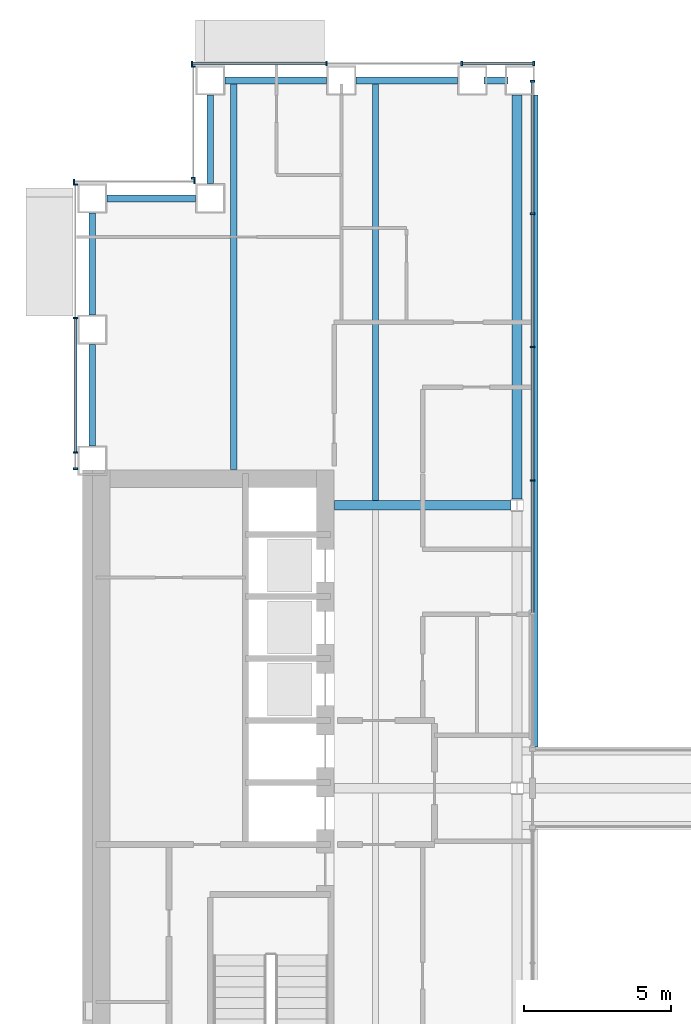
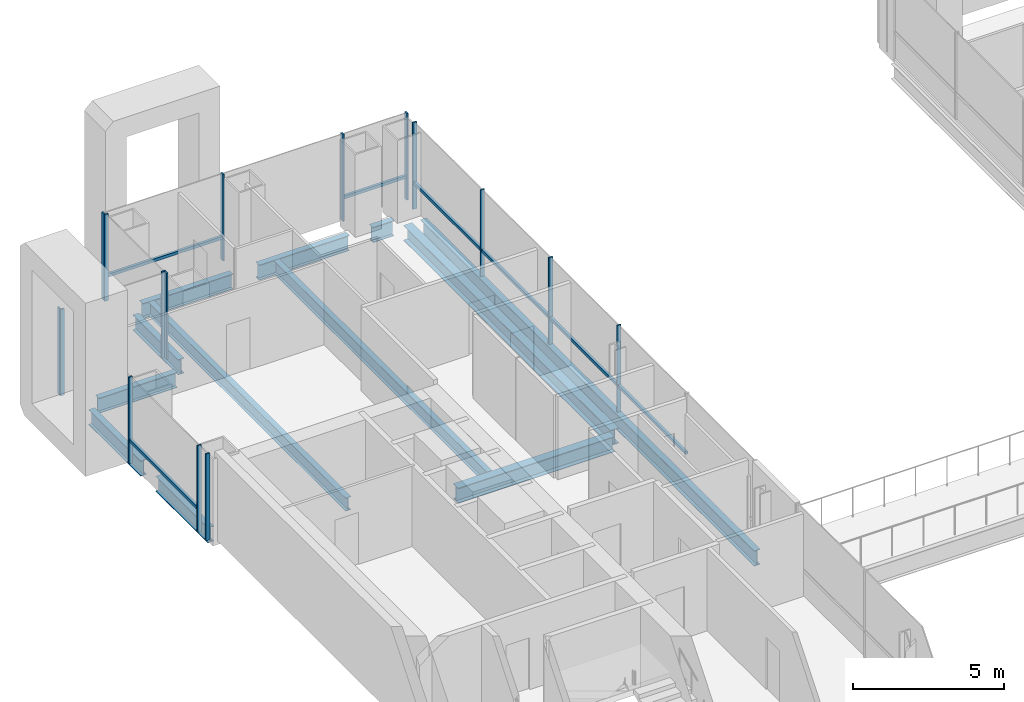
# One storey, part 6 of 21: 23 members, 12 beams, 5 elements without a shape of their own.
"""IFC4 building model written with IfcOpenShell, lengths in metres."""

from ifc_helpers import new_model, si_unit, direction, frame, origin, origin_2d, place, context, subcontext, project, spatial, rectangle, i_section, extrude, material, material_profile, profile_set, type_object, element, aggregate, save


model = new_model("IFC4")

# Units and contexts
model_context = context("Model", 3, precision=1e-05, world=origin(), true_north=direction((0.0, 1.0)))
body_context = subcontext(model_context, "Body", "Model", "MODEL_VIEW")
ifc_project = project(units=[si_unit("LENGTHUNIT", "METRE"), si_unit("AREAUNIT", "SQUARE_METRE"), si_unit("VOLUMEUNIT", "CUBIC_METRE"), si_unit("PLANEANGLEUNIT", "RADIAN"), si_unit("MASSUNIT", "GRAM", prefix="KILO")], contexts=[model_context])

# Site, building, storey
site_placement = place(None, origin())
site = spatial("IfcSite", under=ifc_project, at=site_placement, CompositionType="ELEMENT")
building_placement = place(site_placement, origin())
building = spatial("IfcBuilding", under=site, at=building_placement, Name="Cobrizo Arcos Hotel Tower", CompositionType="ELEMENT")
storey_placement = place(building_placement, frame((0.0, 0.0, 74.0)))
storey = spatial("IfcBuildingStorey", under=building, at=storey_placement, Name="L17", CompositionType="ELEMENT", Elevation=74.0)

# Curtain wall, members
ifc_material_1 = material(Name="Aluminium 6063-T6 anodised bronze", Category="aluminium")
curtain_wall_type_1 = type_object("IfcCurtainWallType", Name="CW-A guest facade", PredefinedType="NOTDEFINED", material=ifc_material_1)
curtain_wall_1_placement = place(storey_placement, origin())
curtain_wall_1 = element("IfcCurtainWall", 1, at=curtain_wall_1_placement, inside=storey, type_object=curtain_wall_type_1, Name="CW-A L17 N face", PredefinedType="NOTDEFINED")
ifc_material_profile_1 = material_profile(ifc_material_1, rectangle(XDim=0.14990234375, YDim=0.06005859375, at=origin_2d()), Name="CW-A mullion 150x60")
ifc_profile_set_1 = profile_set([ifc_material_profile_1], Name="Aluminium 6063-T6 anodised bronze")
member_type_1 = type_object("IfcMemberType", Name="CW-A mullion 150x60", PredefinedType="MULLION", material=ifc_profile_set_1)
member_1_placement = place(storey_placement, frame((-9.030029296875, 24.574951171875, 0.0), z_axis=(0.0, 0.0, 1.0), x_axis=(0.0, 1.0, 0.0)))
member_1 = element("IfcMember", 2, at=member_1_placement, type_object=member_type_1, Name="CW-A mullion 1", PredefinedType="MULLION", context=body_context, shape_type="SweptSolid", body=[
    extrude(rectangle(XDim=0.14990234375, YDim=0.06005859375, at=origin_2d()), origin(), (0.0, 0.0, 1.0), 3.5),
])
member_2_placement = place(storey_placement, frame((-11.47216796875, 24.574951171875, 0.0), z_axis=(0.0, 0.0, 1.0), x_axis=(0.0, 1.0, 0.0)))
member_2 = element("IfcMember", 3, at=member_2_placement, type_object=member_type_1, Name="CW-A mullion 2", PredefinedType="MULLION", context=body_context, shape_type="SweptSolid", body=[
    extrude(rectangle(XDim=0.14990234375, YDim=0.06005859375, at=origin_2d()), origin(), (0.0, 0.0, 1.0), 3.5),
])
member_3_placement = place(storey_placement, frame((-16.06103515625, 24.574951171875, 0.0), z_axis=(0.0, 0.0, 1.0), x_axis=(0.0, 1.0, 0.0)))
member_3 = element("IfcMember", 4, at=member_3_placement, type_object=member_type_1, Name="CW-A mullion 3", PredefinedType="MULLION", context=body_context, shape_type="SweptSolid", body=[
    extrude(rectangle(XDim=0.14990234375, YDim=0.06005859375, at=origin_2d()), origin(), (0.0, 0.0, 1.0), 3.5),
])
member_4_placement = place(storey_placement, frame((-20.6201171875, 24.574951171875, 0.0), z_axis=(0.0, 0.0, 1.0), x_axis=(0.0, 1.0, 0.0)))
member_4 = element("IfcMember", 5, at=member_4_placement, type_object=member_type_1, Name="CW-A mullion 4", PredefinedType="MULLION", context=body_context, shape_type="SweptSolid", body=[
    extrude(rectangle(XDim=0.14990234375, YDim=0.06005859375, at=origin_2d()), origin(), (0.0, 0.0, 1.0), 3.5),
])

curtain_wall_2_placement = place(storey_placement, origin())
curtain_wall_2 = element("IfcCurtainWall", 6, at=curtain_wall_2_placement, inside=storey, type_object=curtain_wall_type_1, Name="CW-A L17 W face", PredefinedType="NOTDEFINED")
member_5_placement = place(storey_placement, frame((-20.574951171875, 24.469970703125, 0.0), z_axis=(0.0, 0.0, 1.0), x_axis=(-1.0, 0.0, 0.0)))
member_5 = element("IfcMember", 7, at=member_5_placement, type_object=member_type_1, Name="CW-A mullion 1", PredefinedType="MULLION", context=body_context, shape_type="SweptSolid", body=[
    extrude(rectangle(XDim=0.14990234375, YDim=0.06005859375, at=origin_2d()), origin(), (0.0, 0.0, 1.0), 3.5),
])
member_6_placement = place(storey_placement, frame((-20.574951171875, 20.679931640625, 0.0), z_axis=(0.0, 0.0, 1.0), x_axis=(-1.0, 0.0, 0.0)))
member_6 = element("IfcMember", 8, at=member_6_placement, type_object=member_type_1, Name="CW-A mullion 2", PredefinedType="MULLION", context=body_context, shape_type="SweptSolid", body=[
    extrude(rectangle(XDim=0.14990234375, YDim=0.06005859375, at=origin_2d()), origin(), (0.0, 0.0, 1.0), 3.5),
])
aggregate(curtain_wall_2, [member_5, member_6])

curtain_wall_3_placement = place(storey_placement, origin())
curtain_wall_3 = element("IfcCurtainWall", 9, at=curtain_wall_3_placement, inside=storey, type_object=curtain_wall_type_1, Name="CW-A L17 N face", PredefinedType="NOTDEFINED")
member_7_placement = place(storey_placement, frame((-20.530029296875, 20.574951171875, 0.0), z_axis=(0.0, 0.0, 1.0), x_axis=(0.0, 1.0, 0.0)))
member_7 = element("IfcMember", 10, at=member_7_placement, type_object=member_type_1, Name="CW-A mullion 1", PredefinedType="MULLION", context=body_context, shape_type="SweptSolid", body=[
    extrude(rectangle(XDim=0.14990234375, YDim=0.06005859375, at=origin_2d()), origin(), (0.0, 0.0, 1.0), 3.5),
])
member_8_placement = place(storey_placement, frame((-24.6201171875, 20.574951171875, 0.0), z_axis=(0.0, 0.0, 1.0), x_axis=(0.0, 1.0, 0.0)))
member_8 = element("IfcMember", 11, at=member_8_placement, type_object=member_type_1, Name="CW-A mullion 2", PredefinedType="MULLION", context=body_context, shape_type="SweptSolid", body=[
    extrude(rectangle(XDim=0.14990234375, YDim=0.06005859375, at=origin_2d()), origin(), (0.0, 0.0, 1.0), 3.5),
])
aggregate(curtain_wall_3, [member_7, member_8])

curtain_wall_4_placement = place(storey_placement, origin())
curtain_wall_4 = element("IfcCurtainWall", 12, at=curtain_wall_4_placement, inside=storey, type_object=curtain_wall_type_1, Name="CW-A L17 W face", PredefinedType="NOTDEFINED")
member_9_placement = place(storey_placement, frame((-24.574951171875, 20.469970703125, 0.0), z_axis=(0.0, 0.0, 1.0), x_axis=(-1.0, 0.0, 0.0)))
member_9 = element("IfcMember", 13, at=member_9_placement, type_object=member_type_1, Name="CW-A mullion 1", PredefinedType="MULLION", context=body_context, shape_type="SweptSolid", body=[
    extrude(rectangle(XDim=0.14990234375, YDim=0.06005859375, at=origin_2d()), origin(), (0.0, 0.0, 1.0), 3.5),
])
member_10_placement = place(storey_placement, frame((-24.574951171875, 15.9443359375, 0.0), z_axis=(0.0, 0.0, 1.0), x_axis=(-1.0, 0.0, 0.0)))
member_10 = element("IfcMember", 14, at=member_10_placement, type_object=member_type_1, Name="CW-A mullion 2", PredefinedType="MULLION", context=body_context, shape_type="SweptSolid", body=[
    extrude(rectangle(XDim=0.14990234375, YDim=0.06005859375, at=origin_2d()), origin(), (0.0, 0.0, 1.0), 3.5),
])
member_11_placement = place(storey_placement, frame((-24.574951171875, 11.388916015625, 0.0), z_axis=(0.0, 0.0, 1.0), x_axis=(-1.0, 0.0, 0.0)))
member_11 = element("IfcMember", 15, at=member_11_placement, type_object=member_type_1, Name="CW-A mullion 3", PredefinedType="MULLION", context=body_context, shape_type="SweptSolid", body=[
    extrude(rectangle(XDim=0.14990234375, YDim=0.06005859375, at=origin_2d()), origin(), (0.0, 0.0, 1.0), 3.5),
])
member_12_placement = place(storey_placement, frame((-24.574951171875, 10.830078125, 0.0), z_axis=(0.0, 0.0, 1.0), x_axis=(-1.0, 0.0, 0.0)))
member_12 = element("IfcMember", 16, at=member_12_placement, type_object=member_type_1, Name="CW-A mullion 4", PredefinedType="MULLION", context=body_context, shape_type="SweptSolid", body=[
    extrude(rectangle(XDim=0.14990234375, YDim=0.06005859375, at=origin_2d()), origin(), (0.0, 0.0, 1.0), 3.5),
])

# Member
ifc_material_profile_2 = material_profile(ifc_material_1, rectangle(XDim=0.10009765625, YDim=0.1201171875, at=origin_2d()), Name="CW-A transom 120x100")
ifc_profile_set_2 = profile_set([ifc_material_profile_2], Name="Aluminium 6063-T6 anodised bronze")
member_type_2 = type_object("IfcMemberType", Name="CW-A transom 120x100", PredefinedType="USERDEFINED", material=ifc_profile_set_2)
member_13_placement = place(storey_placement, frame((-9.06005859375, 24.574951171875, 0.929931640625), z_axis=(-1.0, 0.0, 0.0), x_axis=(0.0, -1.0, 0.0)))
member_13 = element("IfcMember", 17, at=member_13_placement, type_object=member_type_2, Name="CW-A transom 736", ObjectType="TRANSOM", PredefinedType="USERDEFINED", context=body_context, shape_type="SweptSolid", body=[
    extrude(rectangle(XDim=0.10009765625, YDim=0.1201171875, at=origin_2d()), origin(), (0.0, 0.0, 1.0), 2.382080078125),
])

member_14_placement = place(storey_placement, frame((-16.091064453125, 24.574951171875, 0.929931640625), z_axis=(-1.0, 0.0, 0.0), x_axis=(0.0, -1.0, 0.0)))
member_14 = element("IfcMember", 18, at=member_14_placement, type_object=member_type_2, Name="CW-A transom 738", ObjectType="TRANSOM", PredefinedType="USERDEFINED", context=body_context, shape_type="SweptSolid", body=[
    extrude(rectangle(XDim=0.10009765625, YDim=0.1201171875, at=origin_2d()), origin(), (0.0, 0.0, 1.0), 4.4990234375),
])

aggregate(curtain_wall_1, [member_1, member_2, member_3, member_4, member_13, member_14])

member_15_placement = place(storey_placement, frame((-24.574951171875, 15.91455078125, 0.929931640625), z_axis=(0.0, -1.0, 0.0), x_axis=(1.0, 0.0, 0.0)))
member_15 = element("IfcMember", 19, at=member_15_placement, type_object=member_type_2, Name="CW-A transom 742", ObjectType="TRANSOM", PredefinedType="USERDEFINED", context=body_context, shape_type="SweptSolid", body=[
    extrude(rectangle(XDim=0.10009765625, YDim=0.1201171875, at=origin_2d()), origin(), (0.0, 0.0, 1.0), 4.49560546875),
])

aggregate(curtain_wall_4, [member_9, member_10, member_11, member_12, member_15])

# Curtain wall, members
curtain_wall_type_2 = type_object("IfcCurtainWallType", Name="CW-F void screen", PredefinedType="NOTDEFINED", material=ifc_material_1)
curtain_wall_5_placement = place(storey_placement, origin())
curtain_wall_5 = element("IfcCurtainWall", 20, at=curtain_wall_5_placement, inside=storey, type_object=curtain_wall_type_2, Name="CW-F L17 void screen A", PredefinedType="NOTDEFINED")
ifc_material_profile_3 = material_profile(ifc_material_1, rectangle(XDim=0.14990234375, YDim=0.06005859375, at=origin_2d()), Name="CW-F mullion 150x60")
ifc_profile_set_3 = profile_set([ifc_material_profile_3], Name="Aluminium 6063-T6 anodised bronze")
member_type_3 = type_object("IfcMemberType", Name="CW-F mullion 150x60", PredefinedType="MULLION", material=ifc_profile_set_3)
member_16_placement = place(storey_placement, frame((-9.074951171875, 23.969970703125, 0.0), z_axis=(0.0, 0.0, 1.0), x_axis=(-1.0, 0.0, 0.0)))
member_16 = element("IfcMember", 21, at=member_16_placement, type_object=member_type_3, Name="CW-F mullion 1", PredefinedType="MULLION", context=body_context, shape_type="SweptSolid", body=[
    extrude(rectangle(XDim=0.14990234375, YDim=0.06005859375, at=origin_2d()), origin(), (0.0, 0.0, 1.0), 3.5),
])
member_17_placement = place(storey_placement, frame((-9.074951171875, 19.47998046875, 0.0), z_axis=(0.0, 0.0, 1.0), x_axis=(-1.0, 0.0, 0.0)))
member_17 = element("IfcMember", 22, at=member_17_placement, type_object=member_type_3, Name="CW-F mullion 2", PredefinedType="MULLION", context=body_context, shape_type="SweptSolid", body=[
    extrude(rectangle(XDim=0.14990234375, YDim=0.06005859375, at=origin_2d()), origin(), (0.0, 0.0, 1.0), 3.5),
])
member_18_placement = place(storey_placement, frame((-9.074951171875, 14.9599609375, 0.0), z_axis=(0.0, 0.0, 1.0), x_axis=(-1.0, 0.0, 0.0)))
member_18 = element("IfcMember", 23, at=member_18_placement, type_object=member_type_3, Name="CW-F mullion 3", PredefinedType="MULLION", context=body_context, shape_type="SweptSolid", body=[
    extrude(rectangle(XDim=0.14990234375, YDim=0.06005859375, at=origin_2d()), origin(), (0.0, 0.0, 1.0), 3.5),
])
member_19_placement = place(storey_placement, frame((-9.074951171875, 10.43994140625, 0.0), z_axis=(0.0, 0.0, 1.0), x_axis=(-1.0, 0.0, 0.0)))
member_19 = element("IfcMember", 24, at=member_19_placement, type_object=member_type_3, Name="CW-F mullion 4", PredefinedType="MULLION", context=body_context, shape_type="SweptSolid", body=[
    extrude(rectangle(XDim=0.14990234375, YDim=0.06005859375, at=origin_2d()), origin(), (0.0, 0.0, 1.0), 3.5),
])
ifc_material_profile_4 = material_profile(ifc_material_1, rectangle(XDim=0.10009765625, YDim=0.1201171875, at=origin_2d()), Name="CW-F transom 120x100")
ifc_profile_set_4 = profile_set([ifc_material_profile_4], Name="Aluminium 6063-T6 anodised bronze")
member_type_4 = type_object("IfcMemberType", Name="CW-F transom 120x100", PredefinedType="USERDEFINED", material=ifc_profile_set_4)
member_20_placement = place(storey_placement, frame((-9.074951171875, 23.93994140625, 1.050048828125), z_axis=(0.0, -1.0, 0.0), x_axis=(1.0, 0.0, 0.0)))
member_20 = element("IfcMember", 25, at=member_20_placement, type_object=member_type_4, Name="CW-F transom 2518", ObjectType="TRANSOM", PredefinedType="USERDEFINED", context=body_context, shape_type="SweptSolid", body=[
    extrude(rectangle(XDim=0.10009765625, YDim=0.1201171875, at=origin_2d()), origin(), (0.0, 0.0, 1.0), 4.429931640625),
])
member_21_placement = place(storey_placement, frame((-9.074951171875, 19.449951171875, 1.050048828125), z_axis=(0.0, -1.0, 0.0), x_axis=(1.0, 0.0, 0.0)))
member_21 = element("IfcMember", 26, at=member_21_placement, type_object=member_type_4, Name="CW-F transom 2519", ObjectType="TRANSOM", PredefinedType="USERDEFINED", context=body_context, shape_type="SweptSolid", body=[
    extrude(rectangle(XDim=0.10009765625, YDim=0.1201171875, at=origin_2d()), origin(), (0.0, 0.0, 1.0), 4.4599609375),
])
member_22_placement = place(storey_placement, frame((-9.074951171875, 14.929931640625, 1.050048828125), z_axis=(0.0, -1.0, 0.0), x_axis=(1.0, 0.0, 0.0)))
member_22 = element("IfcMember", 27, at=member_22_placement, type_object=member_type_4, Name="CW-F transom 2520", ObjectType="TRANSOM", PredefinedType="USERDEFINED", context=body_context, shape_type="SweptSolid", body=[
    extrude(rectangle(XDim=0.10009765625, YDim=0.1201171875, at=origin_2d()), origin(), (0.0, 0.0, 1.0), 4.4599609375),
])
member_23_placement = place(storey_placement, frame((-9.074951171875, 10.409912109375, 1.050048828125), z_axis=(0.0, -1.0, 0.0), x_axis=(1.0, 0.0, 0.0)))
member_23 = element("IfcMember", 28, at=member_23_placement, type_object=member_type_4, Name="CW-F transom 2521", ObjectType="TRANSOM", PredefinedType="USERDEFINED", context=body_context, shape_type="SweptSolid", body=[
    extrude(rectangle(XDim=0.10009765625, YDim=0.1201171875, at=origin_2d()), origin(), (0.0, 0.0, 1.0), 4.4599609375),
])
aggregate(curtain_wall_5, [member_16, member_17, member_18, member_19, member_20, member_21, member_22, member_23])

# Beams
ifc_material_2 = material(Name="Steel ASTM A992 Grade 50", Category="steel")
ifc_material_profile_5 = material_profile(ifc_material_2, i_section(OverallWidth=0.209228515625, OverallDepth=0.533447265625, WebThickness=0.01025390625, FlangeThickness=0.015625, at=origin_2d()), Name="W21X62")
ifc_profile_set_5 = profile_set([ifc_material_profile_5], Name="Steel ASTM A992 Grade 50")
beam_type_1 = type_object("IfcBeamType", Name="W21X62 joist", PredefinedType="JOIST", material=ifc_profile_set_5)
beam_1_placement = place(storey_placement, frame((-19.199951171875, 10.81005859375, -0.416748046875), z_axis=(0.0, 1.0, 0.0), x_axis=(-1.0, 0.0, 0.0)))
element("IfcBeam", 29, at=beam_1_placement, inside=storey, type_object=beam_type_1, Name="Floor joist J1, L17, no. 002", PredefinedType="JOIST", context=body_context, shape_type="SweptSolid", body=[
    extrude(i_section(OverallWidth=0.209228515625, OverallDepth=0.533447265625, WebThickness=0.01025390625, FlangeThickness=0.015625, at=origin_2d()), origin(), (0.0, 0.0, 1.0), 13.099853515625),
])
beam_2_placement = place(storey_placement, frame((-14.39990234375, 9.763916015625, -0.416748046875), z_axis=(0.0, 1.0, 0.0), x_axis=(-1.0, 0.0, 0.0)))
element("IfcBeam", 30, at=beam_2_placement, inside=storey, type_object=beam_type_1, Name="Floor joist J1, L17, no. 006", PredefinedType="JOIST", context=body_context, shape_type="SweptSolid", body=[
    extrude(i_section(OverallWidth=0.209228515625, OverallDepth=0.533447265625, WebThickness=0.01025390625, FlangeThickness=0.015625, at=origin_2d()), origin(), (0.0, 0.0, 1.0), 14.14599609375),
])
ifc_material_profile_6 = material_profile(ifc_material_2, i_section(OverallWidth=0.32763671875, OverallDepth=0.622314453125, WebThickness=0.015380859375, FlangeThickness=0.0244140625, at=origin_2d()), Name="W24X131")
ifc_profile_set_6 = profile_set([ifc_material_profile_6], Name="Steel ASTM A992 Grade 50")
beam_type_2 = type_object("IfcBeamType", Name="W24X131 girder", PredefinedType="BEAM", material=ifc_profile_set_6)
beam_3_placement = place(storey_placement, frame((-15.7900390625, 9.60009765625, -0.461181640625), z_axis=(1.0, 0.0, 0.0), x_axis=(0.0, 1.0, 0.0)))
element("IfcBeam", 31, at=beam_3_placement, inside=storey, type_object=beam_type_2, Name="Floor girder G1, L17, no. 006", PredefinedType="BEAM", context=body_context, shape_type="SweptSolid", body=[
    extrude(i_section(OverallWidth=0.32763671875, OverallDepth=0.622314453125, WebThickness=0.015380859375, FlangeThickness=0.0244140625, at=origin_2d()), origin(), (0.0, 0.0, 1.0), 5.985595703125),
])
beam_4_placement = place(storey_placement, frame((-9.60009765625, 9.804443359375, -0.461181640625), z_axis=(0.0, 1.0, 0.0), x_axis=(-1.0, 0.0, 0.0)))
element("IfcBeam", 32, at=beam_4_placement, inside=storey, type_object=beam_type_2, Name="Floor girder G1, L17, no. 011", PredefinedType="BEAM", context=body_context, shape_type="SweptSolid", body=[
    extrude(i_section(OverallWidth=0.32763671875, OverallDepth=0.622314453125, WebThickness=0.015380859375, FlangeThickness=0.0244140625, at=origin_2d()), origin(), (0.0, 0.0, 1.0), 13.695556640625),
])
ifc_material_profile_7 = material_profile(ifc_material_2, i_section(OverallWidth=0.23046875, OverallDepth=0.6171875, WebThickness=0.01318359375, FlangeThickness=0.022216796875, at=origin_2d()), Name="W24X94")
ifc_profile_set_7 = profile_set([ifc_material_profile_7], Name="Steel ASTM A992 Grade 50")
beam_type_3 = type_object("IfcBeamType", Name="W24X94 spandrel", PredefinedType="SPANDREL", material=ifc_profile_set_7)
beam_5_placement = place(storey_placement, frame((-24.0, 11.611083984375, -0.45849609375), z_axis=(0.0, 1.0, 0.0), x_axis=(-1.0, 0.0, 0.0)))
element("IfcBeam", 33, at=beam_5_placement, inside=storey, type_object=beam_type_3, Name="Spandrel beam W24X94, L17, no. 020", PredefinedType="SPANDREL", context=body_context, shape_type="SweptSolid", body=[
    extrude(i_section(OverallWidth=0.23046875, OverallDepth=0.6171875, WebThickness=0.01318359375, FlangeThickness=0.022216796875, at=origin_2d()), origin(), (0.0, 0.0, 1.0), 3.44482421875),
])
beam_6_placement = place(storey_placement, frame((-24.0, 16.055908203125, -0.45849609375), z_axis=(0.0, 1.0, 0.0), x_axis=(-1.0, 0.0, 0.0)))
element("IfcBeam", 34, at=beam_6_placement, inside=storey, type_object=beam_type_3, Name="Spandrel beam W24X94, L17, no. 021", PredefinedType="SPANDREL", context=body_context, shape_type="SweptSolid", body=[
    extrude(i_section(OverallWidth=0.23046875, OverallDepth=0.6171875, WebThickness=0.01318359375, FlangeThickness=0.022216796875, at=origin_2d()), origin(), (0.0, 0.0, 1.0), 3.444091796875),
])
for number, where, z_axis, x_axis, name in (
    (35, (-23.5, 20.0, -0.45849609375), (1.0, 0.0, 0.0), (0.0, 1.0, 0.0), "Spandrel beam W24X94, L17, no. 022"),
    (36, (-20.0, 20.5, -0.45849609375), (0.0, 1.0, 0.0), (-1.0, 0.0, 0.0), "Spandrel beam W24X94, L17, no. 023"),
):
    element("IfcBeam", number, at=place(storey_placement, frame(where, z_axis=z_axis, x_axis=x_axis)), inside=storey, type_object=beam_type_3, Name=name, PredefinedType="SPANDREL", context=body_context, shape_type="SweptSolid", body=[
        extrude(i_section(OverallWidth=0.23046875, OverallDepth=0.6171875, WebThickness=0.01318359375, FlangeThickness=0.022216796875, at=origin_2d()), origin(), (0.0, 0.0, 1.0), 3.0),
    ])
beam_7_placement = place(storey_placement, frame((-19.5, 24.0, -0.45849609375), z_axis=(1.0, 0.0, 0.0), x_axis=(0.0, 1.0, 0.0)))
element("IfcBeam", 37, at=beam_7_placement, inside=storey, type_object=beam_type_3, Name="Spandrel beam W24X94, L17, no. 024", PredefinedType="SPANDREL", context=body_context, shape_type="SweptSolid", body=[
    extrude(i_section(OverallWidth=0.23046875, OverallDepth=0.6171875, WebThickness=0.01318359375, FlangeThickness=0.022216796875, at=origin_2d()), origin(), (0.0, 0.0, 1.0), 3.444091796875),
])
beam_8_placement = place(storey_placement, frame((-15.055908203125, 24.0, -0.45849609375), z_axis=(1.0, 0.0, 0.0), x_axis=(0.0, 1.0, 0.0)))
element("IfcBeam", 38, at=beam_8_placement, inside=storey, type_object=beam_type_3, Name="Spandrel beam W24X94, L17, no. 025", PredefinedType="SPANDREL", context=body_context, shape_type="SweptSolid", body=[
    extrude(i_section(OverallWidth=0.23046875, OverallDepth=0.6171875, WebThickness=0.01318359375, FlangeThickness=0.022216796875, at=origin_2d()), origin(), (0.0, 0.0, 1.0), 3.44482421875),
])
beam_9_placement = place(storey_placement, frame((-10.7109375, 24.0, -0.45849609375), z_axis=(1.0, 0.0, 0.0), x_axis=(0.0, 1.0, 0.0)))
element("IfcBeam", 39, at=beam_9_placement, inside=storey, type_object=beam_type_3, Name="Spandrel beam W24X94, L17, no. 026", PredefinedType="SPANDREL", context=body_context, shape_type="SweptSolid", body=[
    extrude(i_section(OverallWidth=0.23046875, OverallDepth=0.6171875, WebThickness=0.01318359375, FlangeThickness=0.022216796875, at=origin_2d()), origin(), (0.0, 0.0, 1.0), 0.81103515625),
])
beam_10_placement = place(storey_placement, frame((-9.0, 23.5, -0.45849609375), z_axis=(0.0, -1.0, 0.0), x_axis=(1.0, 0.0, 0.0)))
element("IfcBeam", 40, at=beam_10_placement, inside=storey, type_object=beam_type_3, Name="Spandrel beam W24X94, L17, no. 027", PredefinedType="SPANDREL", context=body_context, shape_type="SweptSolid", body=[
    extrude(i_section(OverallWidth=0.23046875, OverallDepth=0.6171875, WebThickness=0.01318359375, FlangeThickness=0.022216796875, at=origin_2d()), origin(), (0.0, 0.0, 1.0), 22.10009765625),
])

save(model, "model.ifc")
